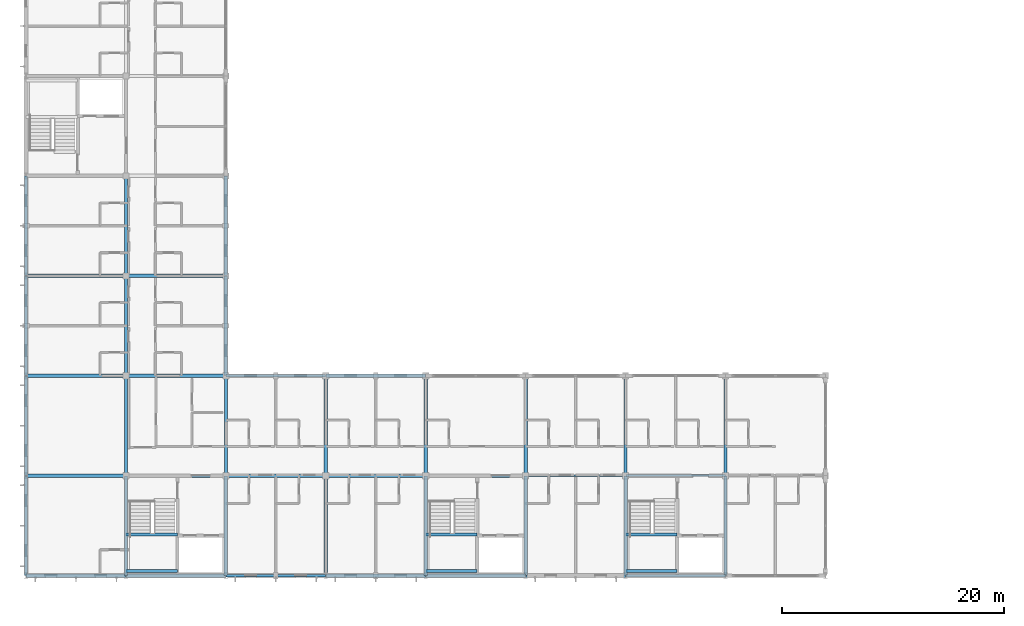
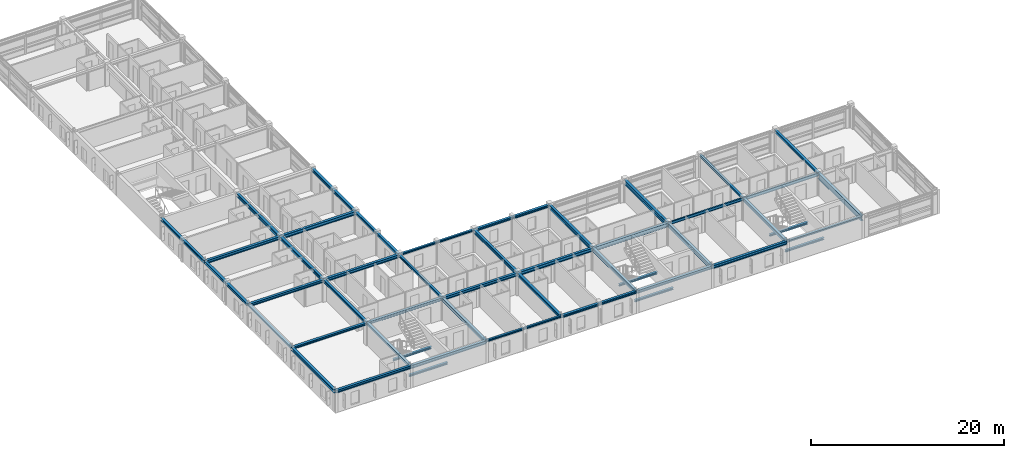
# One storey, part 6 of 30: 48 beams.
"""IFC4 building model written with IfcOpenShell, lengths in metres."""

import ifcopenshell
import ifcopenshell.guid

model = None  # the IFC model being written
_history = None  # IfcOwnerHistory: only IFC2X3 demands one
_inside = {}  # id of a spatial element -> (the spatial element, [elements in it])
_under = {}  # id of a project, library or spatial element -> (it, [spatial elements below it])
_declared = {}  # id of a project -> (the project, [libraries it declares])
_typed = {}  # id of a type object -> (the type object, [elements of that type])
_made_of = {}  # id of a material, layer set ... -> (it, [elements and type objects made of it])


def new_model(schema):
    """Start an empty IFC model of exactly this schema.

    Asked for "IFC4X3", IfcOpenShell would pick the latest addendum, in which some entities
    have other attributes; the version numbers below select the first issue.
    IFC2X3 requires an IfcOwnerHistory on every rooted entity: one is made here for all.
    """
    global model, _history
    if schema == "IFC4X3":
        model = ifcopenshell.file(schema_version=(4, 3, 0, 0))
    else:
        model = ifcopenshell.file(schema=schema)
    _inside.clear()
    _under.clear()
    _declared.clear()
    _typed.clear()
    _made_of.clear()
    _history = None
    if model.schema == "IFC2X3":
        org = make("IfcOrganization", Name="unknown")
        user = make(
            "IfcPersonAndOrganization",
            ThePerson=make("IfcPerson", FamilyName="unknown"),
            TheOrganization=org,
        )
        app = make(
            "IfcApplication",
            ApplicationDeveloper=org,
            Version="unknown",
            ApplicationFullName="unknown",
            ApplicationIdentifier="unknown",
        )
        _history = make(
            "IfcOwnerHistory",
            OwningUser=user,
            OwningApplication=app,
            ChangeAction="ADDED",
            CreationDate=0,
        )
    return model


def make(cls, **values):
    """One entity of the class cls with the attributes given. An attribute that is None is left unset."""
    return model.create_entity(
        cls, **{name: value for name, value in values.items() if value is not None}
    )


def rooted(cls, **values):
    """An entity with a GlobalId (a new one), such as an element, a storey or a relation."""
    return make(cls, GlobalId=ifcopenshell.guid.new(), OwnerHistory=_history, **values)


def si_unit(unit_type, name, prefix=None):
    """IfcSIUnit, for example si_unit("LENGTHUNIT", "METRE", prefix="MILLI")."""
    return make("IfcSIUnit", UnitType=unit_type, Prefix=prefix, Name=name)


def assignment(units):
    """IfcUnitAssignment: the units of a project."""
    return None if units is None else make("IfcUnitAssignment", Units=units)


def point(xyz):
    """IfcCartesianPoint."""
    return None if xyz is None else make("IfcCartesianPoint", Coordinates=xyz)


def direction(xyz):
    """IfcDirection."""
    return None if xyz is None else make("IfcDirection", DirectionRatios=xyz)


def frame(location, z_axis=None, x_axis=None):
    """IfcAxis2Placement3D, a coordinate frame: its origin and axes. An axis left out is left unset."""
    return make(
        "IfcAxis2Placement3D",
        Location=point(location),
        Axis=direction(z_axis),
        RefDirection=direction(x_axis),
    )


def frame_2d(location, x_axis=None):
    """IfcAxis2Placement2D, a coordinate frame in the plane: its origin and x axis."""
    return make(
        "IfcAxis2Placement2D", Location=point(location), RefDirection=direction(x_axis)
    )


def origin():
    """The frame at (0, 0, 0) with its axes left unset."""
    return frame((0.0, 0.0, 0.0))


def origin_2d():
    """The frame at (0, 0) in the plane with its x axis left unset."""
    return frame_2d((0.0, 0.0))


def place(relative_to, where):
    """IfcLocalPlacement: puts the frame where relative to a parent placement (None: the world)."""
    return make(
        "IfcLocalPlacement", PlacementRelTo=relative_to, RelativePlacement=where
    )


def context(
    kind, dimensions, precision=None, world=None, true_north=None, identifier=None
):
    """IfcGeometricRepresentationContext, for example the 3D "Model" context."""
    return make(
        "IfcGeometricRepresentationContext",
        ContextIdentifier=identifier,
        ContextType=kind,
        CoordinateSpaceDimension=dimensions,
        Precision=precision,
        WorldCoordinateSystem=world,
        TrueNorth=true_north,
    )


def subcontext(parent, identifier, kind, view, scale=None):
    """IfcGeometricRepresentationSubContext, for example "Body" below "Model"."""
    return make(
        "IfcGeometricRepresentationSubContext",
        ContextIdentifier=identifier,
        ContextType=kind,
        ParentContext=parent,
        TargetScale=scale,
        TargetView=view,
    )


def project(units=None, contexts=None):
    """IfcProject with its units and contexts."""
    return rooted(
        "IfcProject",
        Name="project",
        RepresentationContexts=contexts,
        UnitsInContext=assignment(units),
    )


def spatial(cls, under=None, at=None, **own):
    """A site, building, storey or space (cls), placed at a placement, below another one or the project."""
    s = rooted(cls, ObjectPlacement=at, **own)
    if under is not None:
        _under.setdefault(under.id(), (under, []))[1].append(s)
    return s


def profile(cls, at=None, kind="AREA", **sizes):
    """A parametric profile (cls). Its sizes go by their IFC names, for example OverallWidth=200.0."""
    return make(cls, ProfileType=kind, Position=at, **sizes)


def i_section(**sizes):
    """IfcIShapeProfileDef."""
    return profile("IfcIShapeProfileDef", **sizes)


def extrude(swept, where, along, depth):
    """IfcExtrudedAreaSolid: the profile swept, set in the frame where, extruded along a direction by depth."""
    return make(
        "IfcExtrudedAreaSolid",
        SweptArea=swept,
        Position=where,
        ExtrudedDirection=direction(along),
        Depth=depth,
    )


def shape(context_of_items, identifier, shape_type, items):
    """IfcShapeRepresentation: the items that make up one representation, for example the "Body"."""
    return make(
        "IfcShapeRepresentation",
        ContextOfItems=context_of_items,
        RepresentationIdentifier=identifier,
        RepresentationType=shape_type,
        Items=items,
    )


def material(Name=None, Category=None):
    """IfcMaterial."""
    return make("IfcMaterial", Name=Name, Category=Category)


def material_profile(
    of_material, cross_section, Name=None, Category=None, Priority=None
):
    """IfcMaterialProfile: a cross section and its material."""
    return make(
        "IfcMaterialProfile",
        Name=Name,
        Material=of_material,
        Profile=cross_section,
        Priority=Priority,
        Category=Category,
    )


def profile_set(profiles, Name=None, composite=None):
    """IfcMaterialProfileSet."""
    return make(
        "IfcMaterialProfileSet",
        Name=Name,
        MaterialProfiles=profiles,
        CompositeProfile=composite,
    )


def made_of(thing, what):
    """Note that an element or type object is made of a material, layer set ...; save() writes the relation."""
    if what is not None:
        _made_of.setdefault(what.id(), (what, []))[1].append(thing)
    return thing


def type_object(cls, material=None, **own):
    """A type object (cls), such as IfcWallType, which elements share."""
    return made_of(rooted(cls, **own), material)


def element(
    cls,
    number,
    at=None,
    inside=None,
    cuts=None,
    type_object=None,
    material=None,
    context=None,
    identifier="Body",
    shape_type=None,
    held_by="IfcProductDefinitionShape",
    body=None,
    shapes=None,
    **own,
):
    """One element of the class cls, such as IfcWall. Its Tag is "e" and its number.

    at: its placement. inside: the storey or other place that contains it. cuts: it is an
    opening in that element (IfcRelVoidsElement). A single representation is given by context,
    identifier, shape_type and body (its items); several are given by shapes. held_by: the class
    of the entity that holds the representations. save() writes the other relations.
    """
    e = rooted(cls, Tag="e%d" % number, ObjectPlacement=at, **own)
    if body is not None:
        shapes = [shape(context, identifier, shape_type, body)]
    if shapes is not None:
        e.Representation = make(held_by, Representations=shapes)
    if inside is not None:
        _inside.setdefault(inside.id(), (inside, []))[1].append(e)
    if cuts is not None:
        rooted(
            "IfcRelVoidsElement", RelatingBuildingElement=cuts, RelatedOpeningElement=e
        )
    if type_object is not None:
        _typed.setdefault(type_object.id(), (type_object, []))[1].append(e)
    return made_of(e, material)


def aggregate(whole, parts):
    """IfcRelAggregates: a whole, such as a stair, and the parts it consists of."""
    return rooted("IfcRelAggregates", RelatingObject=whole, RelatedObjects=parts)


def save(model, path):
    """Write the relations noted so far, then the file.

    IfcRelAggregates (storeys below a building ...), IfcRelContainedInSpatialStructure (elements
    in a storey), IfcRelDefinesByType, IfcRelAssociatesMaterial and IfcRelDeclares: one each for
    every whole, place, type object, material and project.
    """
    for whole, parts in _under.values():
        aggregate(whole, parts)
    for where, things in _inside.values():
        rooted(
            "IfcRelContainedInSpatialStructure",
            RelatedElements=things,
            RelatingStructure=where,
        )
    for kind, things in _typed.values():
        rooted("IfcRelDefinesByType", RelatedObjects=things, RelatingType=kind)
    for what, things in _made_of.values():
        rooted("IfcRelAssociatesMaterial", RelatedObjects=things, RelatingMaterial=what)
    for by, libraries in _declared.values():
        rooted("IfcRelDeclares", RelatingContext=by, RelatedDefinitions=libraries)
    model.write(path)


model = new_model("IFC4")

# Units and contexts
model_context = context("Model", 3, precision=1e-05, world=origin(), true_north=direction((0.0, 1.0)))
body_context = subcontext(model_context, "Body", "Model", "MODEL_VIEW")
ifc_project = project(units=[si_unit("LENGTHUNIT", "METRE"), si_unit("AREAUNIT", "SQUARE_METRE"), si_unit("VOLUMEUNIT", "CUBIC_METRE"), si_unit("PLANEANGLEUNIT", "RADIAN"), si_unit("MASSUNIT", "GRAM", prefix="KILO")], contexts=[model_context])

# Site, building, storey
site_placement = place(None, origin())
site = spatial("IfcSite", under=ifc_project, at=site_placement, CompositionType="ELEMENT")
building_placement = place(site_placement, origin())
building = spatial("IfcBuilding", under=site, at=building_placement, Name="Palais des Congres Ocreval", CompositionType="ELEMENT")
storey_placement = place(building_placement, frame((0.0, 0.0, 14.56005859375)))
storey = spatial("IfcBuildingStorey", under=building, at=storey_placement, Name="L04", CompositionType="ELEMENT", Elevation=14.56005859375)

# Beams
ifc_material = material(Name="Steel S355", Category="steel")
ifc_material_profile_1 = material_profile(ifc_material, i_section(OverallWidth=0.169921875, OverallDepth=0.360107421875, WebThickness=0.008056640625, FlangeThickness=0.0126953125, at=origin_2d()), Name="IPE 360")
ifc_profile_set_1 = profile_set([ifc_material_profile_1], Name="Steel S355")
beam_type_1 = type_object("IfcBeamType", Name="Composite Beam IPE 360 Steel S355", PredefinedType="BEAM", material=ifc_profile_set_1)
beam_1_placement = place(storey_placement, frame((45.02001953125, 9.0, 2.599853515625), z_axis=(1.0, 0.0, 0.0), x_axis=(0.0, 1.0, 0.0)))
element("IfcBeam", 1, at=beam_1_placement, inside=storey, type_object=beam_type_1, Name="Beam B01 L04", PredefinedType="BEAM", context=body_context, shape_type="SweptSolid", body=[
    extrude(i_section(OverallWidth=0.169921875, OverallDepth=0.360107421875, WebThickness=0.008056640625, FlangeThickness=0.0126953125, at=origin_2d()), origin(), (0.0, 0.0, 1.0), 8.9599609375),
])
ifc_material_profile_2 = material_profile(ifc_material, i_section(OverallWidth=0.179931640625, OverallDepth=0.39990234375, WebThickness=0.008544921875, FlangeThickness=0.013427734375, at=origin_2d()), Name="IPE 400")
ifc_profile_set_2 = profile_set([ifc_material_profile_2], Name="Steel S355")
beam_type_2 = type_object("IfcBeamType", Name="Composite Beam IPE 400 Steel S355", PredefinedType="BEAM", material=ifc_profile_set_2)
beam_2_placement = place(storey_placement, frame((54.02001953125, 9.0, 2.579833984375), z_axis=(1.0, 0.0, 0.0), x_axis=(0.0, 1.0, 0.0)))
element("IfcBeam", 2, at=beam_2_placement, inside=storey, type_object=beam_type_2, Name="Beam B02 L04", PredefinedType="BEAM", context=body_context, shape_type="SweptSolid", body=[
    extrude(i_section(OverallWidth=0.179931640625, OverallDepth=0.39990234375, WebThickness=0.008544921875, FlangeThickness=0.013427734375, at=origin_2d()), origin(), (0.0, 0.0, 1.0), 8.9599609375),
])
ifc_material_profile_3 = material_profile(ifc_material, i_section(OverallWidth=0.260009765625, OverallDepth=0.260009765625, WebThickness=0.010009765625, FlangeThickness=0.017578125, at=origin_2d()), Name="HEB 260")
ifc_profile_set_3 = profile_set([ifc_material_profile_3], Name="Steel S355")
beam_type_3 = type_object("IfcBeamType", Name="Opening Lintel HEB 260 Steel S355", PredefinedType="LINTEL", material=ifc_profile_set_3)
for number, where, z_axis, x_axis, name in (
    (3, (0.0, 9.02001953125, 2.64990234375), (0.0, 1.0, 0.0), (-1.0, 0.0, 0.0), "Girder LN01 L04"),
    (4, (18.0, 9.02001953125, 2.64990234375), (0.0, 1.0, 0.0), (-1.0, 0.0, 0.0), "Girder LN01 L04"),
    (5, (54.0, 9.02001953125, 2.64990234375), (0.0, 1.0, 0.0), (-1.0, 0.0, 0.0), "Girder LN01 L04"),
):
    element("IfcBeam", number, at=place(storey_placement, frame(where, z_axis=z_axis, x_axis=x_axis)), inside=storey, type_object=beam_type_3, Name=name, PredefinedType="LINTEL", context=body_context, shape_type="SweptSolid", body=[
        extrude(i_section(OverallWidth=0.260009765625, OverallDepth=0.260009765625, WebThickness=0.010009765625, FlangeThickness=0.017578125, at=origin_2d()), origin(), (0.0, 0.0, 1.0), 8.9599609375),
    ])
for number, where, z_axis, x_axis, name in (
    (6, (9.02001953125, 0.419921875, 1.18994140625), (1.0, 0.0, 0.0), (0.0, 1.0, 0.0), "Stair Landing Support Beam ST01 L04-1"),
    (7, (9.02001953125, 3.695068359375, 1.18994140625), (1.0, 0.0, 0.0), (0.0, 1.0, 0.0), "Stair Landing Support Beam ST01 L04-2"),
    (8, (36.02001953125, 0.419921875, 1.18994140625), (1.0, 0.0, 0.0), (0.0, 1.0, 0.0), "Stair Landing Support Beam ST02 L04-1"),
    (9, (36.02001953125, 3.695068359375, 1.18994140625), (1.0, 0.0, 0.0), (0.0, 1.0, 0.0), "Stair Landing Support Beam ST02 L04-2"),
    (10, (54.02001953125, 0.419921875, 1.18994140625), (1.0, 0.0, 0.0), (0.0, 1.0, 0.0), "Stair Landing Support Beam ST04 L04-1"),
    (11, (54.02001953125, 3.695068359375, 1.18994140625), (1.0, 0.0, 0.0), (0.0, 1.0, 0.0), "Stair Landing Support Beam ST04 L04-2"),
):
    element("IfcBeam", number, at=place(storey_placement, frame(where, z_axis=z_axis, x_axis=x_axis)), inside=storey, type_object=beam_type_3, Name=name, PredefinedType="LINTEL", context=body_context, shape_type="SweptSolid", body=[
        extrude(i_section(OverallWidth=0.260009765625, OverallDepth=0.260009765625, WebThickness=0.010009765625, FlangeThickness=0.017578125, at=origin_2d()), origin(), (0.0, 0.0, 1.0), 4.60986328125),
    ])
ifc_material_profile_4 = material_profile(ifc_material, i_section(OverallWidth=0.239990234375, OverallDepth=0.22998046875, WebThickness=0.007568359375, FlangeThickness=0.011962890625, at=origin_2d()), Name="HEA 240")
ifc_profile_set_4 = profile_set([ifc_material_profile_4], Name="Steel S355")
beam_type_4 = type_object("IfcBeamType", Name="Perimeter Spandrel HEA 240 Steel S355", PredefinedType="SPANDREL", material=ifc_profile_set_4)
for number, where, z_axis, x_axis, name in (
    (12, (18.02001953125, 0.0, 2.6650390625), (1.0, 0.0, 0.0), (0.0, 1.0, 0.0), "Beam SP01 L04"),
    (13, (18.02001953125, 18.0, 2.6650390625), (1.0, 0.0, 0.0), (0.0, 1.0, 0.0), "Beam SP01 L04"),
    (14, (54.02001953125, 0.0, 2.6650390625), (1.0, 0.0, 0.0), (0.0, 1.0, 0.0), "Beam SP01 L04"),
):
    element("IfcBeam", number, at=place(storey_placement, frame(where, z_axis=z_axis, x_axis=x_axis)), inside=storey, type_object=beam_type_4, Name=name, PredefinedType="SPANDREL", context=body_context, shape_type="SweptSolid", body=[
        extrude(i_section(OverallWidth=0.239990234375, OverallDepth=0.22998046875, WebThickness=0.007568359375, FlangeThickness=0.011962890625, at=origin_2d()), origin(), (0.0, 0.0, 1.0), 8.9599609375),
    ])
ifc_material_profile_5 = material_profile(ifc_material, i_section(OverallWidth=0.300048828125, OverallDepth=0.300048828125, WebThickness=0.010986328125, FlangeThickness=0.01904296875, at=origin_2d()), Name="HEB 300")
ifc_profile_set_5 = profile_set([ifc_material_profile_5], Name="Steel S355")
beam_type_5 = type_object("IfcBeamType", Name="Perimeter Spandrel HEB 300 Steel S355", PredefinedType="SPANDREL", material=ifc_profile_set_5)
for number, where, z_axis, x_axis, name in (
    (15, (0.0, 18.02001953125, 2.6298828125), (0.0, 1.0, 0.0), (-1.0, 0.0, 0.0), "Girder SP02 L04"),
    (16, (18.0, 18.02001953125, 2.6298828125), (0.0, 1.0, 0.0), (-1.0, 0.0, 0.0), "Girder SP02 L04"),
    (17, (27.02001953125, 0.0, 2.6298828125), (1.0, 0.0, 0.0), (0.0, 1.0, 0.0), "Beam SP02 L04"),
    (18, (27.02001953125, 18.0, 2.6298828125), (1.0, 0.0, 0.0), (0.0, 1.0, 0.0), "Beam SP02 L04"),
):
    element("IfcBeam", number, at=place(storey_placement, frame(where, z_axis=z_axis, x_axis=x_axis)), inside=storey, type_object=beam_type_5, Name=name, PredefinedType="SPANDREL", context=body_context, shape_type="SweptSolid", body=[
        extrude(i_section(OverallWidth=0.300048828125, OverallDepth=0.300048828125, WebThickness=0.010986328125, FlangeThickness=0.01904296875, at=origin_2d()), origin(), (0.0, 0.0, 1.0), 8.9599609375),
    ])
ifc_material_profile_6 = material_profile(ifc_material, i_section(OverallWidth=0.300048828125, OverallDepth=0.360107421875, WebThickness=0.012451171875, FlangeThickness=0.0224609375, at=origin_2d()), Name="HEB 360")
ifc_profile_set_6 = profile_set([ifc_material_profile_6], Name="Steel S355")
beam_type_6 = type_object("IfcBeamType", Name="Perimeter Spandrel HEB 360 Steel S355", PredefinedType="SPANDREL", material=ifc_profile_set_6)
for number, where, z_axis, x_axis, name in (
    (19, (0.02001953125, 0.0, 2.599853515625), (1.0, 0.0, 0.0), (0.0, 1.0, 0.0), "Beam SP03 L04"),
    (20, (0.02001953125, 18.0, 2.599853515625), (1.0, 0.0, 0.0), (0.0, 1.0, 0.0), "Beam SP03 L04"),
    (21, (0.0, 27.02001953125, 2.599853515625), (0.0, 1.0, 0.0), (-1.0, 0.0, 0.0), "Girder SP03 L04"),
    (22, (18.0, 27.02001953125, 2.599853515625), (0.0, 1.0, 0.0), (-1.0, 0.0, 0.0), "Girder SP03 L04"),
    (23, (36.02001953125, 0.0, 2.599853515625), (1.0, 0.0, 0.0), (0.0, 1.0, 0.0), "Beam SP03 L04"),
):
    element("IfcBeam", number, at=place(storey_placement, frame(where, z_axis=z_axis, x_axis=x_axis)), inside=storey, type_object=beam_type_6, Name=name, PredefinedType="SPANDREL", context=body_context, shape_type="SweptSolid", body=[
        extrude(i_section(OverallWidth=0.300048828125, OverallDepth=0.360107421875, WebThickness=0.012451171875, FlangeThickness=0.0224609375, at=origin_2d()), origin(), (0.0, 0.0, 1.0), 8.9599609375),
    ])
ifc_material_profile_7 = material_profile(ifc_material, i_section(OverallWidth=0.300048828125, OverallDepth=0.39990234375, WebThickness=0.013427734375, FlangeThickness=0.02392578125, at=origin_2d()), Name="HEB 400")
ifc_profile_set_7 = profile_set([ifc_material_profile_7], Name="Steel S355")
beam_type_7 = type_object("IfcBeamType", Name="Perimeter Spandrel HEB 400 Steel S355", PredefinedType="SPANDREL", material=ifc_profile_set_7)
for number, where, z_axis, x_axis, name in (
    (24, (0.0, 0.02001953125, 2.579833984375), (0.0, 1.0, 0.0), (-1.0, 0.0, 0.0), "Girder SP04 L04"),
    (25, (9.02001953125, 0.0, 2.579833984375), (1.0, 0.0, 0.0), (0.0, 1.0, 0.0), "Beam SP04 L04"),
    (26, (9.02001953125, 18.0, 2.579833984375), (1.0, 0.0, 0.0), (0.0, 1.0, 0.0), "Beam SP04 L04"),
    (27, (18.0, 0.02001953125, 2.579833984375), (0.0, 1.0, 0.0), (-1.0, 0.0, 0.0), "Girder SP04 L04"),
    (28, (45.02001953125, 0.0, 2.579833984375), (1.0, 0.0, 0.0), (0.0, 1.0, 0.0), "Beam SP04 L04"),
    (29, (54.0, 0.02001953125, 2.579833984375), (0.0, 1.0, 0.0), (-1.0, 0.0, 0.0), "Girder SP04 L04"),
):
    element("IfcBeam", number, at=place(storey_placement, frame(where, z_axis=z_axis, x_axis=x_axis)), inside=storey, type_object=beam_type_7, Name=name, PredefinedType="SPANDREL", context=body_context, shape_type="SweptSolid", body=[
        extrude(i_section(OverallWidth=0.300048828125, OverallDepth=0.39990234375, WebThickness=0.013427734375, FlangeThickness=0.02392578125, at=origin_2d()), origin(), (0.0, 0.0, 1.0), 8.9599609375),
    ])
ifc_material_profile_8 = material_profile(ifc_material, i_section(OverallWidth=0.300048828125, OverallDepth=0.2900390625, WebThickness=0.008544921875, FlangeThickness=0.013916015625, at=origin_2d()), Name="HEA 300")
ifc_profile_set_8 = profile_set([ifc_material_profile_8], Name="Steel S355")
beam_type_8 = type_object("IfcBeamType", Name="Primary Beam HEA 300 Steel S355", PredefinedType="BEAM", material=ifc_profile_set_8)
for number, where, z_axis, x_axis, name in (
    (30, (0.02001953125, 9.0, 2.635009765625), (1.0, 0.0, 0.0), (0.0, 1.0, 0.0), "Beam B08 L04"),
    (31, (9.0, 0.02001953125, 2.635009765625), (0.0, 1.0, 0.0), (-1.0, 0.0, 0.0), "Girder B08 L04"),
    (32, (63.0, 9.02001953125, 2.635009765625), (0.0, 1.0, 0.0), (-1.0, 0.0, 0.0), "Girder B08 L04"),
):
    element("IfcBeam", number, at=place(storey_placement, frame(where, z_axis=z_axis, x_axis=x_axis)), inside=storey, type_object=beam_type_8, Name=name, PredefinedType="BEAM", context=body_context, shape_type="SweptSolid", body=[
        extrude(i_section(OverallWidth=0.300048828125, OverallDepth=0.2900390625, WebThickness=0.008544921875, FlangeThickness=0.013916015625, at=origin_2d()), origin(), (0.0, 0.0, 1.0), 8.9599609375),
    ])
ifc_material_profile_9 = material_profile(ifc_material, i_section(OverallWidth=0.300048828125, OverallDepth=0.330078125, WebThickness=0.009521484375, FlangeThickness=0.0166015625, at=origin_2d()), Name="HEA 340")
ifc_profile_set_9 = profile_set([ifc_material_profile_9], Name="Steel S355")
beam_type_9 = type_object("IfcBeamType", Name="Primary Beam HEA 340 Steel S355", PredefinedType="BEAM", material=ifc_profile_set_9)
for number, where, z_axis, x_axis, name in (
    (33, (9.02001953125, 9.0, 2.614990234375), (1.0, 0.0, 0.0), (0.0, 1.0, 0.0), "Beam B09 L04"),
    (34, (9.0, 9.02001953125, 2.614990234375), (0.0, 1.0, 0.0), (-1.0, 0.0, 0.0), "Girder B09 L04"),
):
    element("IfcBeam", number, at=place(storey_placement, frame(where, z_axis=z_axis, x_axis=x_axis)), inside=storey, type_object=beam_type_9, Name=name, PredefinedType="BEAM", context=body_context, shape_type="SweptSolid", body=[
        extrude(i_section(OverallWidth=0.300048828125, OverallDepth=0.330078125, WebThickness=0.009521484375, FlangeThickness=0.0166015625, at=origin_2d()), origin(), (0.0, 0.0, 1.0), 8.9599609375),
    ])
ifc_material_profile_10 = material_profile(ifc_material, i_section(OverallWidth=0.300048828125, OverallDepth=0.389892578125, WebThickness=0.010986328125, FlangeThickness=0.01904296875, at=origin_2d()), Name="HEA 400")
ifc_profile_set_10 = profile_set([ifc_material_profile_10], Name="Steel S355")
beam_type_10 = type_object("IfcBeamType", Name="Primary Beam HEA 400 Steel S355", PredefinedType="BEAM", material=ifc_profile_set_10)
for number, where, z_axis, x_axis, name in (
    (35, (0.02001953125, 27.0, 2.5849609375), (1.0, 0.0, 0.0), (0.0, 1.0, 0.0), "Beam B10 L04"),
    (36, (9.0, 18.02001953125, 2.5849609375), (0.0, 1.0, 0.0), (-1.0, 0.0, 0.0), "Girder B10 L04"),
    (37, (18.02001953125, 9.0, 2.5849609375), (1.0, 0.0, 0.0), (0.0, 1.0, 0.0), "Beam B10 L04"),
    (38, (27.0, 0.02001953125, 2.5849609375), (0.0, 1.0, 0.0), (-1.0, 0.0, 0.0), "Girder B10 L04"),
):
    element("IfcBeam", number, at=place(storey_placement, frame(where, z_axis=z_axis, x_axis=x_axis)), inside=storey, type_object=beam_type_10, Name=name, PredefinedType="BEAM", context=body_context, shape_type="SweptSolid", body=[
        extrude(i_section(OverallWidth=0.300048828125, OverallDepth=0.389892578125, WebThickness=0.010986328125, FlangeThickness=0.01904296875, at=origin_2d()), origin(), (0.0, 0.0, 1.0), 8.9599609375),
    ])
ifc_material_profile_11 = material_profile(ifc_material, i_section(OverallWidth=0.300048828125, OverallDepth=0.43994140625, WebThickness=0.011474609375, FlangeThickness=0.02099609375, at=origin_2d()), Name="HEA 450")
ifc_profile_set_11 = profile_set([ifc_material_profile_11], Name="Steel S355")
beam_type_11 = type_object("IfcBeamType", Name="Primary Beam HEA 450 Steel S355", PredefinedType="BEAM", material=ifc_profile_set_11)
for number, where, z_axis, x_axis, name in (
    (39, (9.02001953125, 27.0, 2.56005859375), (1.0, 0.0, 0.0), (0.0, 1.0, 0.0), "Beam B11 L04"),
    (40, (9.0, 27.02001953125, 2.56005859375), (0.0, 1.0, 0.0), (-1.0, 0.0, 0.0), "Girder B11 L04"),
    (41, (27.02001953125, 9.0, 2.56005859375), (1.0, 0.0, 0.0), (0.0, 1.0, 0.0), "Beam B11 L04"),
    (42, (27.0, 9.02001953125, 2.56005859375), (0.0, 1.0, 0.0), (-1.0, 0.0, 0.0), "Girder B11 L04"),
    (43, (36.0, 0.02001953125, 2.56005859375), (0.0, 1.0, 0.0), (-1.0, 0.0, 0.0), "Girder B11 L04"),
):
    element("IfcBeam", number, at=place(storey_placement, frame(where, z_axis=z_axis, x_axis=x_axis)), inside=storey, type_object=beam_type_11, Name=name, PredefinedType="BEAM", context=body_context, shape_type="SweptSolid", body=[
        extrude(i_section(OverallWidth=0.300048828125, OverallDepth=0.43994140625, WebThickness=0.011474609375, FlangeThickness=0.02099609375, at=origin_2d()), origin(), (0.0, 0.0, 1.0), 8.9599609375),
    ])
ifc_material_profile_12 = material_profile(ifc_material, i_section(OverallWidth=0.300048828125, OverallDepth=0.489990234375, WebThickness=0.011962890625, FlangeThickness=0.02294921875, at=origin_2d()), Name="HEA 500")
ifc_profile_set_12 = profile_set([ifc_material_profile_12], Name="Steel S355")
beam_type_12 = type_object("IfcBeamType", Name="Primary Beam HEA 500 Steel S355", PredefinedType="BEAM", material=ifc_profile_set_12)
for number, where, z_axis, x_axis, name in (
    (44, (36.02001953125, 9.0, 2.534912109375), (1.0, 0.0, 0.0), (0.0, 1.0, 0.0), "Beam B12 L04"),
    (45, (36.0, 9.02001953125, 2.534912109375), (0.0, 1.0, 0.0), (-1.0, 0.0, 0.0), "Girder B12 L04"),
    (46, (45.0, 0.02001953125, 2.534912109375), (0.0, 1.0, 0.0), (-1.0, 0.0, 0.0), "Girder B12 L04"),
):
    element("IfcBeam", number, at=place(storey_placement, frame(where, z_axis=z_axis, x_axis=x_axis)), inside=storey, type_object=beam_type_12, Name=name, PredefinedType="BEAM", context=body_context, shape_type="SweptSolid", body=[
        extrude(i_section(OverallWidth=0.300048828125, OverallDepth=0.489990234375, WebThickness=0.011962890625, FlangeThickness=0.02294921875, at=origin_2d()), origin(), (0.0, 0.0, 1.0), 8.9599609375),
    ])
ifc_material_profile_13 = material_profile(ifc_material, i_section(OverallWidth=0.300048828125, OverallDepth=0.590087890625, WebThickness=0.012939453125, FlangeThickness=0.02490234375, at=origin_2d()), Name="HEA 600")
ifc_profile_set_13 = profile_set([ifc_material_profile_13], Name="Steel S355")
beam_type_13 = type_object("IfcBeamType", Name="Primary Girder HEA 600 Steel S355", PredefinedType="BEAM", material=ifc_profile_set_13)
beam_3_placement = place(storey_placement, frame((45.0, 9.02001953125, 2.48486328125), z_axis=(0.0, 1.0, 0.0), x_axis=(-1.0, 0.0, 0.0)))
element("IfcBeam", 47, at=beam_3_placement, inside=storey, type_object=beam_type_13, Name="Girder B13 L04", PredefinedType="BEAM", context=body_context, shape_type="SweptSolid", body=[
    extrude(i_section(OverallWidth=0.300048828125, OverallDepth=0.590087890625, WebThickness=0.012939453125, FlangeThickness=0.02490234375, at=origin_2d()), origin(), (0.0, 0.0, 1.0), 8.9599609375),
])
ifc_material_profile_14 = material_profile(ifc_material, i_section(OverallWidth=0.300048828125, OverallDepth=0.68994140625, WebThickness=0.014404296875, FlangeThickness=0.027099609375, at=origin_2d()), Name="HEA 700")
ifc_profile_set_14 = profile_set([ifc_material_profile_14], Name="Steel S355")
beam_type_14 = type_object("IfcBeamType", Name="Primary Girder HEA 700 Steel S355", PredefinedType="BEAM", material=ifc_profile_set_14)
beam_4_placement = place(storey_placement, frame((63.0, 0.02001953125, 2.43505859375), z_axis=(0.0, 1.0, 0.0), x_axis=(-1.0, 0.0, 0.0)))
element("IfcBeam", 48, at=beam_4_placement, inside=storey, type_object=beam_type_14, Name="Girder B14 L04", PredefinedType="BEAM", context=body_context, shape_type="SweptSolid", body=[
    extrude(i_section(OverallWidth=0.300048828125, OverallDepth=0.68994140625, WebThickness=0.014404296875, FlangeThickness=0.027099609375, at=origin_2d()), origin(), (0.0, 0.0, 1.0), 8.9599609375),
])

save(model, "model.ifc")
